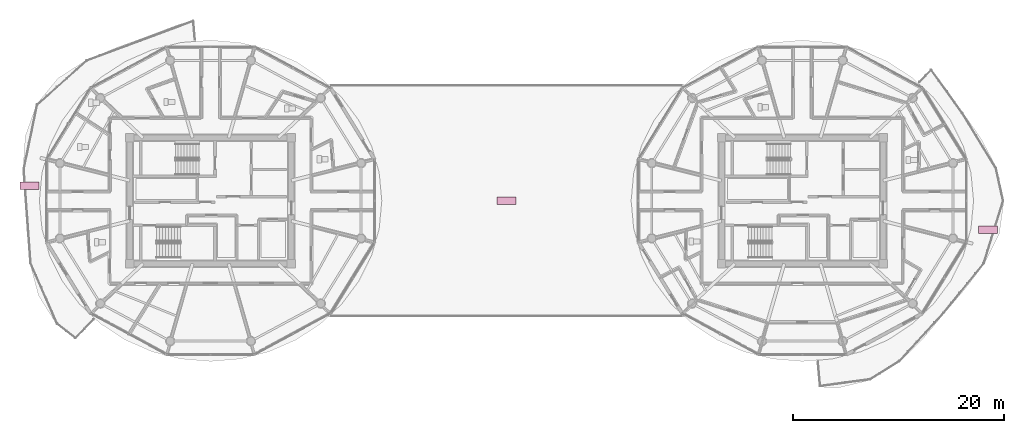
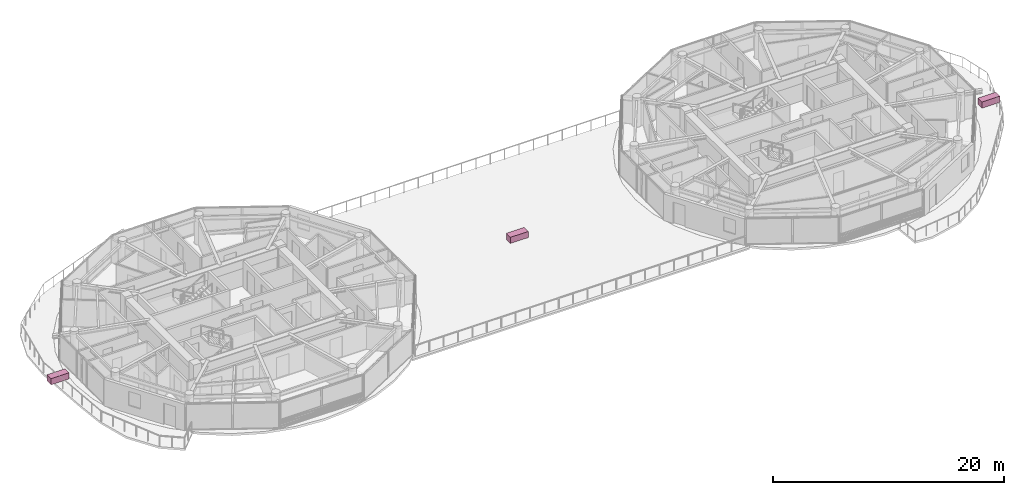
# One storey, part 30 of 30: 3 furnishings.
"""IFC4 building model written with IfcOpenShell, lengths in metres."""

from ifc_helpers import new_model, si_unit, direction, frame, origin, origin_2d, place, context, subcontext, project, spatial, rectangle, extrude, source, transform, mapped, material, type_object, type_shapes, element, save


model = new_model("IFC4")

# Units and contexts
model_context = context("Model", 3, precision=1e-05, world=origin(), true_north=direction((0.0, 1.0)))
body_context = subcontext(model_context, "Body", "Model", "MODEL_VIEW")
ifc_project = project(units=[si_unit("LENGTHUNIT", "METRE"), si_unit("AREAUNIT", "SQUARE_METRE"), si_unit("VOLUMEUNIT", "CUBIC_METRE"), si_unit("PLANEANGLEUNIT", "RADIAN"), si_unit("MASSUNIT", "GRAM", prefix="KILO")], contexts=[model_context])

# Site, building, storey
site_placement = place(None, origin())
site = spatial("IfcSite", under=ifc_project, at=site_placement, CompositionType="ELEMENT")
building_placement = place(site_placement, origin())
building = spatial("IfcBuilding", under=site, at=building_placement, Name="Norrkilde Senior Care Towers", CompositionType="ELEMENT")
storey_placement = place(building_placement, frame((0.0, 0.0, 232.199951171875)))
storey = spatial("IfcBuildingStorey", under=building, at=storey_placement, Name="L72", CompositionType="ELEMENT", Elevation=232.199951171875)

# Furnishings
ifc_material = material(Name="Architectural Terracotta", Category="masonry")
furnishing_element_type = type_object("IfcFurnishingElementType", Name="Nordic Terrace Planter Bed PLANTER", material=ifc_material)
shared_shape = source(origin(), body_context, "Body", "SweptSolid", [
    extrude(rectangle(XDim=1.800048828125, YDim=0.699951171875, at=origin_2d()), origin(), (0.0, 0.0, 1.0), 0.64990234375),
])
type_shapes(furnishing_element_type, [shared_shape])
for number, where, z_axis, x_axis, name in (
    (1, (0.0, 0.0, 0.0), (0.0, 0.0, 1.0), (1.0, 0.0, 0.0), "L72 Nordic Planted Terrace Bed 26"),
    (2, (45.587890625, -2.73046875, 0.0), (0.0, 0.0, 1.0), (1.0, 0.0, 0.0), "L72 Nordic Planted Terrace Bed 27"),
    (3, (-45.135009765625, 1.406005859375, 0.0), (0.0, 0.0, 1.0), (1.0, 0.0, 0.0), "L72 Nordic Planted Terrace Bed 28"),
):
    element("IfcFurnishingElement", number, at=place(storey_placement, frame(where, z_axis=z_axis, x_axis=x_axis)), inside=storey, type_object=furnishing_element_type, Name=name, context=body_context, shape_type="MappedRepresentation", body=[
        mapped(shared_shape, transform((0.0, 0.0, 0.0), x_axis=(1.0, 0.0, 0.0), y_axis=(0.0, 1.0, 0.0), z_axis=(0.0, 0.0, 1.0), scale=1.0)),
    ])

save(model, "model.ifc")
